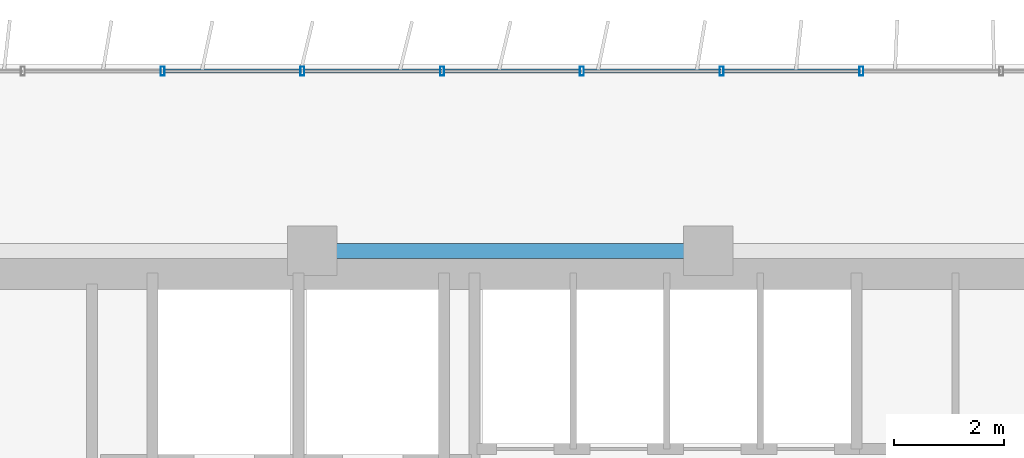
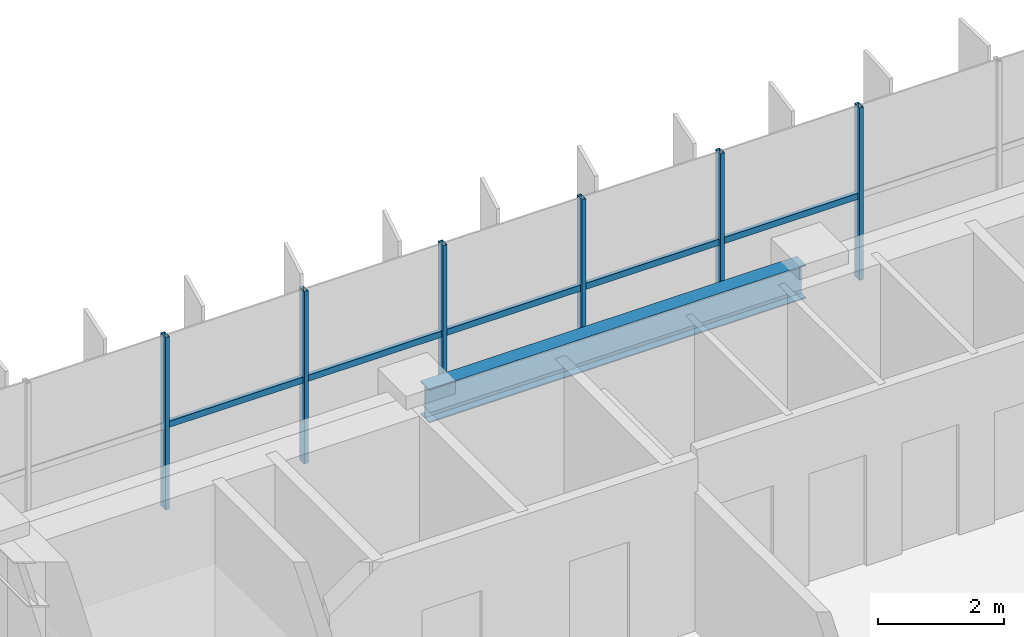
# One storey, part 7 of 24: 11 members, 1 beam, 1 element without a shape of its own.
"""IFC4 building model written with IfcOpenShell, lengths in metres."""

from ifc_helpers import new_model, si_unit, direction, frame, origin, origin_2d, place, context, subcontext, project, spatial, hollow_rectangle, i_section, extrude, source, transform, mapped, material, material_profile, profile_set, type_object, element, aggregate, save


model = new_model("IFC4")

# Units and contexts
model_context = context("Model", 3, precision=1e-05, world=origin(), true_north=direction((0.0, 1.0)))
body_context = subcontext(model_context, "Body", "Model", "MODEL_VIEW")
ifc_project = project(units=[si_unit("LENGTHUNIT", "METRE"), si_unit("AREAUNIT", "SQUARE_METRE"), si_unit("VOLUMEUNIT", "CUBIC_METRE"), si_unit("PLANEANGLEUNIT", "RADIAN"), si_unit("MASSUNIT", "GRAM", prefix="KILO")], contexts=[model_context])

# Site, building, storey
site_placement = place(None, origin())
site = spatial("IfcSite", under=ifc_project, at=site_placement, CompositionType="ELEMENT")
building_placement = place(site_placement, origin())
building = spatial("IfcBuilding", under=site, at=building_placement, Name="Trelvane Seafront Commons", CompositionType="ELEMENT")
storey_placement = place(building_placement, frame((0.0, 0.0, 27.10009765625)))
storey = spatial("IfcBuildingStorey", under=building, at=storey_placement, Name="L06", CompositionType="ELEMENT", Elevation=27.10009765625)

# Beam
ifc_material_1 = material(Name="Steel SM355 (S355)", Category="steel")
ifc_material_profile_1 = material_profile(ifc_material_1, i_section(OverallWidth=0.280029296875, OverallDepth=0.64990234375, WebThickness=0.012939453125, FlangeThickness=0.02197265625, at=origin_2d()), Name="H-650x280x13x22")
ifc_profile_set_1 = profile_set([ifc_material_profile_1], Name="Steel SM355 (S355)")
beam_type = type_object("IfcBeamType", Name="STR-BM-H650", PredefinedType="BEAM", material=ifc_profile_set_1)
shared_shape_1 = source(origin(), body_context, "Body", "SweptSolid", [
    extrude(i_section(OverallWidth=0.280029296875, OverallDepth=0.64990234375, WebThickness=0.012939453125, FlangeThickness=0.02197265625, at=origin_2d()), origin(), (0.0, 0.0, 1.0), 6.89990234375),
])
beam_placement = place(storey_placement, frame((23.550048828125, 45.10009765625, 3.014892578125), z_axis=(1.0, 0.0, 0.0), x_axis=(0.0, 1.0, 0.0)))
element("IfcBeam", 1, at=beam_placement, inside=storey, type_object=beam_type, Name="L06 Primary Girder G-31", PredefinedType="BEAM", context=body_context, shape_type="MappedRepresentation", body=[
    mapped(shared_shape_1, transform((0.0, 0.0, 0.0), x_axis=(1.0, 0.0, 0.0), y_axis=(0.0, 1.0, 0.0), z_axis=(0.0, 0.0, 1.0), scale=1.0)),
])

# Curtain wall, members
ifc_material_2 = material(Name="Anodised pale-silver aluminium", Category="aluminium")
curtain_wall_type = type_object("IfcCurtainWallType", Name="ARCH-CW2-LOWTOWER", PredefinedType="NOTDEFINED", material=ifc_material_2)
curtain_wall_placement = place(storey_placement, origin())
curtain_wall = element("IfcCurtainWall", 2, at=curtain_wall_placement, inside=storey, type_object=curtain_wall_type, Name="CW-L06-0030", PredefinedType="NOTDEFINED")
ifc_material_profile_2 = material_profile(ifc_material_2, hollow_rectangle(XDim=0.070068359375, YDim=0.1201171875, WallThickness=0.00390625, at=origin_2d()), Name="TRAN-70x120x4")
ifc_profile_set_2 = profile_set([ifc_material_profile_2], Name="Anodised pale-silver aluminium")
member_type_1 = type_object("IfcMemberType", Name="ARCH-CW-TRAN-120", PredefinedType="USERDEFINED", material=ifc_profile_set_2)
shared_shape_2 = source(origin(), body_context, "Body", "SweptSolid", [
    extrude(hollow_rectangle(XDim=0.070068359375, YDim=0.1201171875, WallThickness=0.00390625, at=origin_2d()), origin(), (0.0, 0.0, 1.0), 2.51708984375),
])
member_1_placement = place(storey_placement, frame((20.6943359375, 48.3701171875, 1.602783203125), z_axis=(1.0, 0.0, 0.0), x_axis=(0.0, 1.0, 0.0)))
member_1 = element("IfcMember", 3, at=member_1_placement, type_object=member_type_1, Name="CW-L06-0030-T02", ObjectType="TRANSOM", PredefinedType="USERDEFINED", context=body_context, shape_type="MappedRepresentation", body=[
    mapped(shared_shape_2, transform((0.0, 0.0, 0.0), x_axis=(1.0, 0.0, 0.0), y_axis=(0.0, 1.0, 0.0), z_axis=(0.0, 0.0, 1.0), scale=1.0)),
])
member_2_placement = place(storey_placement, frame((23.235595703125, 48.3701171875, 1.602783203125), z_axis=(1.0, 0.0, 0.0), x_axis=(0.0, 1.0, 0.0)))
member_2 = element("IfcMember", 4, at=member_2_placement, type_object=member_type_1, Name="CW-L06-0030-T03", ObjectType="TRANSOM", PredefinedType="USERDEFINED", context=body_context, shape_type="MappedRepresentation", body=[
    mapped(shared_shape_2, transform((0.0, 0.0, 0.0), x_axis=(1.0, 0.0, 0.0), y_axis=(0.0, 1.0, 0.0), z_axis=(0.0, 0.0, 1.0), scale=1.0)),
])
member_3_placement = place(storey_placement, frame((30.859130859375, 48.3701171875, 1.602783203125), z_axis=(1.0, 0.0, 0.0), x_axis=(0.0, 1.0, 0.0)))
member_3 = element("IfcMember", 5, at=member_3_placement, type_object=member_type_1, Name="CW-L06-0030-T06", ObjectType="TRANSOM", PredefinedType="USERDEFINED", context=body_context, shape_type="MappedRepresentation", body=[
    mapped(shared_shape_2, transform((0.0, 0.0, 0.0), x_axis=(1.0, 0.0, 0.0), y_axis=(0.0, 1.0, 0.0), z_axis=(0.0, 0.0, 1.0), scale=1.0)),
])
shared_shape_3 = source(origin(), body_context, "Body", "SweptSolid", [
    extrude(hollow_rectangle(XDim=0.070068359375, YDim=0.1201171875, WallThickness=0.00390625, at=origin_2d()), origin(), (0.0, 0.0, 1.0), 2.517333984375),
])
member_4_placement = place(storey_placement, frame((25.776611328125, 48.3701171875, 1.602783203125), z_axis=(1.0, 0.0, 0.0), x_axis=(0.0, 1.0, 0.0)))
member_4 = element("IfcMember", 6, at=member_4_placement, type_object=member_type_1, Name="CW-L06-0030-T04", ObjectType="TRANSOM", PredefinedType="USERDEFINED", context=body_context, shape_type="MappedRepresentation", body=[
    mapped(shared_shape_3, transform((0.0, 0.0, 0.0), x_axis=(1.0, 0.0, 0.0), y_axis=(0.0, 1.0, 0.0), z_axis=(0.0, 0.0, 1.0), scale=1.0)),
])
member_5_placement = place(storey_placement, frame((28.31787109375, 48.3701171875, 1.602783203125), z_axis=(1.0, 0.0, 0.0), x_axis=(0.0, 1.0, 0.0)))
member_5 = element("IfcMember", 7, at=member_5_placement, type_object=member_type_1, Name="CW-L06-0030-T05", ObjectType="TRANSOM", PredefinedType="USERDEFINED", context=body_context, shape_type="MappedRepresentation", body=[
    mapped(shared_shape_3, transform((0.0, 0.0, 0.0), x_axis=(1.0, 0.0, 0.0), y_axis=(0.0, 1.0, 0.0), z_axis=(0.0, 0.0, 1.0), scale=1.0)),
])
ifc_material_profile_3 = material_profile(ifc_material_2, hollow_rectangle(XDim=0.074951171875, YDim=0.159912109375, WallThickness=0.00390625, at=origin_2d()), Name="MULL-75x160x4")
ifc_profile_set_3 = profile_set([ifc_material_profile_3], Name="Anodised pale-silver aluminium")
member_type_2 = type_object("IfcMemberType", Name="ARCH-CW-MULL-160", PredefinedType="MULLION", material=ifc_profile_set_3)
shared_shape_4 = source(origin(), body_context, "Body", "SweptSolid", [
    extrude(hollow_rectangle(XDim=0.074951171875, YDim=0.159912109375, WallThickness=0.00390625, at=origin_2d()), origin(), (0.0, 0.0, 1.0), 3.33984375),
])
member_6_placement = place(storey_placement, frame((20.682373046875, 48.3701171875, 0.0), z_axis=(0.0, 0.0, 1.0), x_axis=(1.0, 0.0, 0.0)))
member_6 = element("IfcMember", 8, at=member_6_placement, type_object=member_type_2, Name="CW-L06-0030-M02", PredefinedType="MULLION", context=body_context, shape_type="MappedRepresentation", body=[
    mapped(shared_shape_4, transform((0.0, 0.0, 0.0), x_axis=(1.0, 0.0, 0.0), y_axis=(0.0, 1.0, 0.0), z_axis=(0.0, 0.0, 1.0), scale=1.0)),
])
member_7_placement = place(storey_placement, frame((23.223388671875, 48.3701171875, 0.0), z_axis=(0.0, 0.0, 1.0), x_axis=(1.0, 0.0, 0.0)))
member_7 = element("IfcMember", 9, at=member_7_placement, type_object=member_type_2, Name="CW-L06-0030-M03", PredefinedType="MULLION", context=body_context, shape_type="MappedRepresentation", body=[
    mapped(shared_shape_4, transform((0.0, 0.0, 0.0), x_axis=(1.0, 0.0, 0.0), y_axis=(0.0, 1.0, 0.0), z_axis=(0.0, 0.0, 1.0), scale=1.0)),
])
member_8_placement = place(storey_placement, frame((25.7646484375, 48.3701171875, 0.0), z_axis=(0.0, 0.0, 1.0), x_axis=(1.0, 0.0, 0.0)))
member_8 = element("IfcMember", 10, at=member_8_placement, type_object=member_type_2, Name="CW-L06-0030-M04", PredefinedType="MULLION", context=body_context, shape_type="MappedRepresentation", body=[
    mapped(shared_shape_4, transform((0.0, 0.0, 0.0), x_axis=(1.0, 0.0, 0.0), y_axis=(0.0, 1.0, 0.0), z_axis=(0.0, 0.0, 1.0), scale=1.0)),
])
member_9_placement = place(storey_placement, frame((28.305908203125, 48.3701171875, 0.0), z_axis=(0.0, 0.0, 1.0), x_axis=(1.0, 0.0, 0.0)))
member_9 = element("IfcMember", 11, at=member_9_placement, type_object=member_type_2, Name="CW-L06-0030-M05", PredefinedType="MULLION", context=body_context, shape_type="MappedRepresentation", body=[
    mapped(shared_shape_4, transform((0.0, 0.0, 0.0), x_axis=(1.0, 0.0, 0.0), y_axis=(0.0, 1.0, 0.0), z_axis=(0.0, 0.0, 1.0), scale=1.0)),
])
member_10_placement = place(storey_placement, frame((30.84716796875, 48.3701171875, 0.0), z_axis=(0.0, 0.0, 1.0), x_axis=(1.0, 0.0, 0.0)))
member_10 = element("IfcMember", 12, at=member_10_placement, type_object=member_type_2, Name="CW-L06-0030-M06", PredefinedType="MULLION", context=body_context, shape_type="MappedRepresentation", body=[
    mapped(shared_shape_4, transform((0.0, 0.0, 0.0), x_axis=(1.0, 0.0, 0.0), y_axis=(0.0, 1.0, 0.0), z_axis=(0.0, 0.0, 1.0), scale=1.0)),
])
member_11_placement = place(storey_placement, frame((33.38818359375, 48.3701171875, 0.0), z_axis=(0.0, 0.0, 1.0), x_axis=(1.0, 0.0, 0.0)))
member_11 = element("IfcMember", 13, at=member_11_placement, type_object=member_type_2, Name="CW-L06-0030-M07", PredefinedType="MULLION", context=body_context, shape_type="MappedRepresentation", body=[
    mapped(shared_shape_4, transform((0.0, 0.0, 0.0), x_axis=(1.0, 0.0, 0.0), y_axis=(0.0, 1.0, 0.0), z_axis=(0.0, 0.0, 1.0), scale=1.0)),
])
aggregate(curtain_wall, [member_6, member_7, member_8, member_9, member_10, member_11, member_1, member_2, member_4, member_5, member_3])

save(model, "model.ifc")
